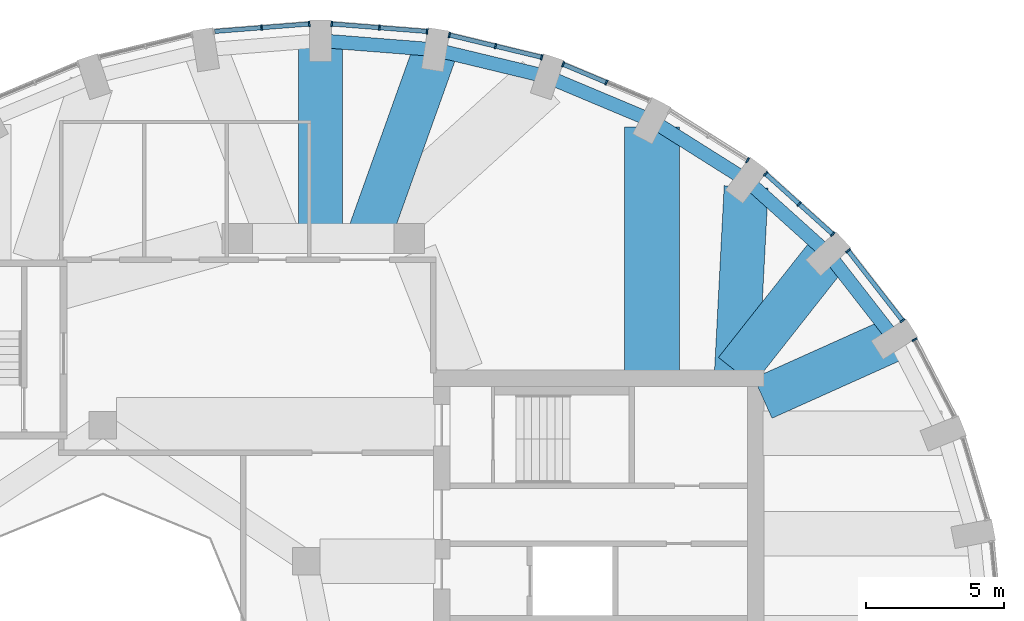
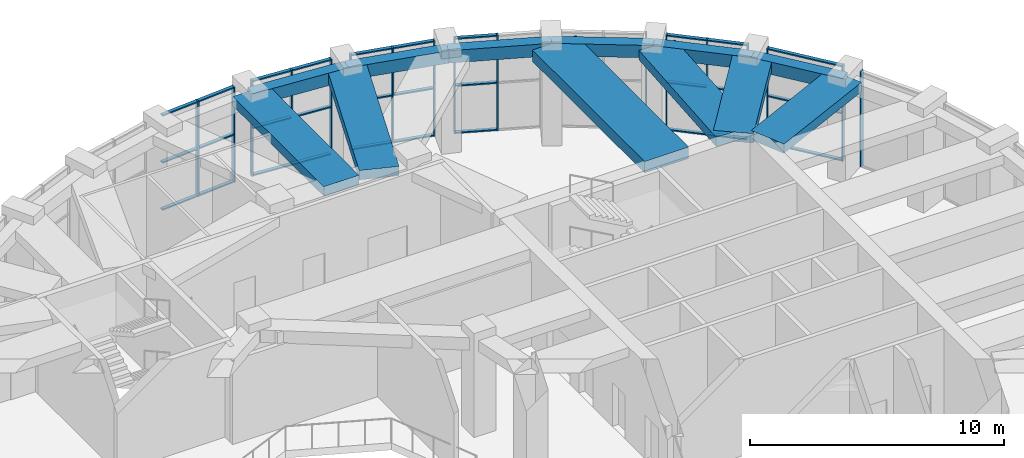
# One storey, part 8 of 16: 47 members, 12 beams, 8 elements without a shape of their own.
"""IFC4 building model written with IfcOpenShell, lengths in metres."""

from ifc_helpers import new_model, si_unit, direction, frame, origin, origin_2d, place, context, subcontext, project, spatial, rectangle, extrude, material, material_profile, profile_set, type_object, element, aggregate, save


model = new_model("IFC4")

# Units and contexts
model_context = context("Model", 3, precision=1e-05, world=origin(), true_north=direction((0.0, 1.0)))
body_context = subcontext(model_context, "Body", "Model", "MODEL_VIEW")
ifc_project = project(units=[si_unit("LENGTHUNIT", "METRE"), si_unit("AREAUNIT", "SQUARE_METRE"), si_unit("VOLUMEUNIT", "CUBIC_METRE"), si_unit("PLANEANGLEUNIT", "RADIAN"), si_unit("MASSUNIT", "GRAM", prefix="KILO")], contexts=[model_context])

# Site, building, storey
site_placement = place(None, origin())
site = spatial("IfcSite", under=ifc_project, at=site_placement, CompositionType="ELEMENT")
building_placement = place(site_placement, origin())
building = spatial("IfcBuilding", under=site, at=building_placement, Name="Taillehof Tower", CompositionType="ELEMENT")
storey_placement = place(building_placement, frame((0.0, 0.0, 264.199951171875)))
storey = spatial("IfcBuildingStorey", under=building, at=storey_placement, Name="L75", CompositionType="ELEMENT", Elevation=264.199951171875)

# Beams
ifc_material_1 = material(Name="Concrete C50/60", Category="concrete")
ifc_material_profile_1 = material_profile(ifc_material_1, rectangle(XDim=1.60009765625, YDim=0.449951171875, at=origin_2d()), Name="RC 1600x450")
ifc_profile_set_1 = profile_set([ifc_material_profile_1], Name="Concrete C50/60")
beam_type_1 = type_object("IfcBeamType", Name="Radial band beam C50/60 1600x450", PredefinedType="BEAM", material=ifc_profile_set_1)
beam_1_placement = place(storey_placement, frame((20.72802734375, 11.125, 4.364990234375), z_axis=(-0.912110813011, -0.409943733685, 0.0), x_axis=(0.409943733685, -0.912110813011, 0.0)))
element("IfcBeam", 1, at=beam_1_placement, inside=storey, type_object=beam_type_1, Name="Radial band beam RB04", PredefinedType="BEAM", context=body_context, shape_type="SweptSolid", body=[
    extrude(rectangle(XDim=1.60009765625, YDim=0.449951171875, at=origin_2d()), origin(), (0.0, 0.0, 1.0), 5.233642578125),
])
beam_2_placement = place(storey_placement, frame((18.323486328125, 14.21630859375, 4.364990234375), z_axis=(-0.619052480422, -0.785349620541, 0.0), x_axis=(0.785349620541, -0.619052480422, 0.0)))
element("IfcBeam", 2, at=beam_2_placement, inside=storey, type_object=beam_type_1, Name="Radial band beam RB05", PredefinedType="BEAM", context=body_context, shape_type="SweptSolid", body=[
    extrude(rectangle(XDim=1.60009765625, YDim=0.449951171875, at=origin_2d()), origin(), (0.0, 0.0, 1.0), 5.418701171875),
])
beam_3_placement = place(storey_placement, frame((15.3466796875, 16.645751953125, 4.364990234375), z_axis=(-0.052105887855, -0.998641565553, 0.0), x_axis=(0.998641565553, -0.052105887855, 0.0)))
element("IfcBeam", 3, at=beam_3_placement, inside=storey, type_object=beam_type_1, Name="Radial band beam RB06", PredefinedType="BEAM", context=body_context, shape_type="SweptSolid", body=[
    extrude(rectangle(XDim=1.60009765625, YDim=0.449951171875, at=origin_2d()), origin(), (0.0, 0.0, 1.0), 6.704833984375),
])
beam_4_placement = place(storey_placement, frame((4.076171875, 21.62109375, 4.364990234375), z_axis=(-0.33687426523, -0.941549642571, 0.0), x_axis=(0.941549642571, -0.33687426523, 0.0)))
element("IfcBeam", 4, at=beam_4_placement, inside=storey, type_object=beam_type_1, Name="Radial band beam RB09", PredefinedType="BEAM", context=body_context, shape_type="SweptSolid", body=[
    extrude(rectangle(XDim=1.60009765625, YDim=0.449951171875, at=origin_2d()), origin(), (0.0, 0.0, 1.0), 7.27392578125),
])
beam_5_placement = place(storey_placement, frame((-0.10009765625, 21.949951171875, 4.364990234375), z_axis=(0.0, -1.0, 0.0), x_axis=(1.0, 0.0, 0.0)))
element("IfcBeam", 5, at=beam_5_placement, inside=storey, type_object=beam_type_1, Name="Radial band beam RB10", PredefinedType="BEAM", context=body_context, shape_type="SweptSolid", body=[
    extrude(rectangle(XDim=1.60009765625, YDim=0.449951171875, at=origin_2d()), origin(), (0.0, 0.0, 1.0), 7.177734375),
])
ifc_material_2 = material(Name="Concrete C50/60", Category="concrete")
ifc_material_profile_2 = material_profile(ifc_material_2, rectangle(XDim=2.0, YDim=0.550048828125, at=origin_2d()), Name="RC 2000x550")
ifc_profile_set_2 = profile_set([ifc_material_profile_2], Name="Concrete C50/60")
beam_type_2 = type_object("IfcBeamType", Name="Radial band beam C50/60 2000x550", PredefinedType="BEAM", material=ifc_profile_set_2)
beam_6_placement = place(storey_placement, frame((11.925048828125, 18.8115234375, 4.31494140625), z_axis=(0.0, -1.0, 0.0), x_axis=(1.0, 0.0, 0.0)))
element("IfcBeam", 6, at=beam_6_placement, inside=storey, type_object=beam_type_2, Name="Radial band beam RB07", PredefinedType="BEAM", context=body_context, shape_type="SweptSolid", body=[
    extrude(rectangle(XDim=2.0, YDim=0.550048828125, at=origin_2d()), origin(), (0.0, 0.0, 1.0), 8.861572265625),
])

# Curtain wall, member
ifc_material_3 = material(Name="Aluminium curtain wall with Clear laminated safety glass", Category="aluminium")
curtain_wall_type = type_object("IfcCurtainWallType", Name="Sky restaurant curtain wall", PredefinedType="USERDEFINED", material=ifc_material_3)
curtain_wall_1_placement = place(storey_placement, origin())
curtain_wall_1 = element("IfcCurtainWall", 7, at=curtain_wall_1_placement, inside=storey, type_object=curtain_wall_type, Name="Sky restaurant L75 bay 3", ObjectType="WINDOW WALL", PredefinedType="USERDEFINED")
ifc_material_4 = material(Name="Aluminium mullion", Category="aluminium")
ifc_material_profile_3 = material_profile(ifc_material_4, rectangle(XDim=0.199951171875, YDim=0.06005859375, at=origin_2d()), Name="AL 60x200")
ifc_profile_set_3 = profile_set([ifc_material_profile_3], Name="Aluminium mullion")
member_type_1 = type_object("IfcMemberType", Name="Sky restaurant mullion 60x200", PredefinedType="MULLION", material=ifc_profile_set_3)
member_1_placement = place(storey_placement, frame((21.4560546875, 11.10400390625, 0.0), z_axis=(0.0, 0.0, 1.0), x_axis=(-0.887975262702, -0.459891218474, 0.0)))
member_1 = element("IfcMember", 8, at=member_1_placement, type_object=member_type_1, Name="CT5E03 mullion 2", PredefinedType="MULLION", context=body_context, shape_type="SweptSolid", body=[
    extrude(rectangle(XDim=0.199951171875, YDim=0.06005859375, at=origin_2d()), origin(), (0.0, 0.0, 1.0), 4.590087890625),
])
aggregate(curtain_wall_1, [member_1])

# Curtain wall, members
curtain_wall_2_placement = place(storey_placement, origin())
curtain_wall_2 = element("IfcCurtainWall", 9, at=curtain_wall_2_placement, inside=storey, type_object=curtain_wall_type, Name="Sky restaurant L75 bay 4", ObjectType="WINDOW WALL", PredefinedType="USERDEFINED")
member_2_placement = place(storey_placement, frame((21.013916015625, 11.79443359375, 0.0), z_axis=(0.0, 0.0, 1.0), x_axis=(-0.789381612432, -0.613902818005, 0.0)))
member_2 = element("IfcMember", 10, at=member_2_placement, type_object=member_type_1, Name="CT5E04 mullion 1", PredefinedType="MULLION", context=body_context, shape_type="SweptSolid", body=[
    extrude(rectangle(XDim=0.199951171875, YDim=0.06005859375, at=origin_2d()), origin(), (0.0, 0.0, 1.0), 4.590087890625),
])
member_3_placement = place(storey_placement, frame((19.044677734375, 14.326904296875, 0.0), z_axis=(0.0, 0.0, 1.0), x_axis=(-0.789381612432, -0.613902818005, 0.0)))
member_3 = element("IfcMember", 11, at=member_3_placement, type_object=member_type_1, Name="CT5E04 mullion 2", PredefinedType="MULLION", context=body_context, shape_type="SweptSolid", body=[
    extrude(rectangle(XDim=0.199951171875, YDim=0.06005859375, at=origin_2d()), origin(), (0.0, 0.0, 1.0), 4.590087890625),
])

curtain_wall_3_placement = place(storey_placement, origin())
curtain_wall_3 = element("IfcCurtainWall", 12, at=curtain_wall_3_placement, inside=storey, type_object=curtain_wall_type, Name="Sky restaurant L75 bay 5", ObjectType="WINDOW WALL", PredefinedType="USERDEFINED")
member_4_placement = place(storey_placement, frame((18.486083984375, 14.927001953125, 0.0), z_axis=(0.0, 0.0, 1.0), x_axis=(-0.669107157872, -0.74316593792, 0.0)))
member_4 = element("IfcMember", 13, at=member_4_placement, type_object=member_type_1, Name="CT5E05 mullion 1", PredefinedType="MULLION", context=body_context, shape_type="SweptSolid", body=[
    extrude(rectangle(XDim=0.199951171875, YDim=0.06005859375, at=origin_2d()), origin(), (0.0, 0.0, 1.0), 4.590087890625),
])
member_5_placement = place(storey_placement, frame((17.2685546875, 16.023193359375, 0.0), z_axis=(0.0, 0.0, 1.0), x_axis=(-0.669107157872, -0.74316593792, 0.0)))
member_5 = element("IfcMember", 14, at=member_5_placement, type_object=member_type_1, Name="CT5E05 mullion 2", PredefinedType="MULLION", context=body_context, shape_type="SweptSolid", body=[
    extrude(rectangle(XDim=0.199951171875, YDim=0.06005859375, at=origin_2d()), origin(), (0.0, 0.0, 1.0), 4.590087890625),
])
member_6_placement = place(storey_placement, frame((16.051025390625, 17.119384765625, 0.0), z_axis=(0.0, 0.0, 1.0), x_axis=(-0.669107157872, -0.74316593792, 0.0)))
member_6 = element("IfcMember", 15, at=member_6_placement, type_object=member_type_1, Name="CT5E05 mullion 3", PredefinedType="MULLION", context=body_context, shape_type="SweptSolid", body=[
    extrude(rectangle(XDim=0.199951171875, YDim=0.06005859375, at=origin_2d()), origin(), (0.0, 0.0, 1.0), 4.590087890625),
])

# Curtain wall, member
curtain_wall_4_placement = place(storey_placement, origin())
curtain_wall_4 = element("IfcCurtainWall", 16, at=curtain_wall_4_placement, inside=storey, type_object=curtain_wall_type, Name="Sky restaurant L75 bay 6", ObjectType="WINDOW WALL", PredefinedType="USERDEFINED")
member_7_placement = place(storey_placement, frame((15.397216796875, 17.614013671875, 0.0), z_axis=(0.0, 0.0, 1.0), x_axis=(-0.533294430468, -0.845929695916, 0.0)))
member_7 = element("IfcMember", 17, at=member_7_placement, type_object=member_type_1, Name="CT5E06 mullion 1", PredefinedType="MULLION", context=body_context, shape_type="SweptSolid", body=[
    extrude(rectangle(XDim=0.199951171875, YDim=0.06005859375, at=origin_2d()), origin(), (0.0, 0.0, 1.0), 4.590087890625),
])
aggregate(curtain_wall_4, [member_7])

# Curtain wall, members
curtain_wall_5_placement = place(storey_placement, origin())
curtain_wall_5 = element("IfcCurtainWall", 18, at=curtain_wall_5_placement, inside=storey, type_object=curtain_wall_type, Name="Sky restaurant L75 bay 7", ObjectType="WINDOW WALL", PredefinedType="USERDEFINED")
member_8_placement = place(storey_placement, frame((10.27294921875, 20.434326171875, 0.0), z_axis=(0.0, 0.0, 1.0), x_axis=(-0.387100713636, -0.922037438233, 0.0)))
member_8 = element("IfcMember", 19, at=member_8_placement, type_object=member_type_1, Name="CT5E07 mullion 2", PredefinedType="MULLION", context=body_context, shape_type="SweptSolid", body=[
    extrude(rectangle(XDim=0.199951171875, YDim=0.06005859375, at=origin_2d()), origin(), (0.0, 0.0, 1.0), 4.590087890625),
])
member_9_placement = place(storey_placement, frame((8.70458984375, 21.0927734375, 0.0), z_axis=(0.0, 0.0, 1.0), x_axis=(-0.387100713636, -0.922037438233, 0.0)))
member_9 = element("IfcMember", 20, at=member_9_placement, type_object=member_type_1, Name="CT5E07 mullion 3", PredefinedType="MULLION", context=body_context, shape_type="SweptSolid", body=[
    extrude(rectangle(XDim=0.199951171875, YDim=0.06005859375, at=origin_2d()), origin(), (0.0, 0.0, 1.0), 4.590087890625),
])

curtain_wall_6_placement = place(storey_placement, origin())
curtain_wall_6 = element("IfcCurtainWall", 21, at=curtain_wall_6_placement, inside=storey, type_object=curtain_wall_type, Name="Sky restaurant L75 bay 8", ObjectType="WINDOW WALL", PredefinedType="USERDEFINED")
member_10_placement = place(storey_placement, frame((7.925537109375, 21.348388671875, 0.0), z_axis=(0.0, 0.0, 1.0), x_axis=(-0.234514520129, -0.972112616855, 0.0)))
member_10 = element("IfcMember", 22, at=member_10_placement, type_object=member_type_1, Name="CT5E08 mullion 1", PredefinedType="MULLION", context=body_context, shape_type="SweptSolid", body=[
    extrude(rectangle(XDim=0.199951171875, YDim=0.06005859375, at=origin_2d()), origin(), (0.0, 0.0, 1.0), 4.590087890625),
])
member_11_placement = place(storey_placement, frame((6.2509765625, 21.75244140625, 0.0), z_axis=(0.0, 0.0, 1.0), x_axis=(-0.234514520129, -0.972112616855, 0.0)))
member_11 = element("IfcMember", 23, at=member_11_placement, type_object=member_type_1, Name="CT5E08 mullion 2", PredefinedType="MULLION", context=body_context, shape_type="SweptSolid", body=[
    extrude(rectangle(XDim=0.199951171875, YDim=0.06005859375, at=origin_2d()), origin(), (0.0, 0.0, 1.0), 4.590087890625),
])
member_12_placement = place(storey_placement, frame((4.57666015625, 22.15625, 0.0), z_axis=(0.0, 0.0, 1.0), x_axis=(-0.234514520129, -0.972112616855, 0.0)))
member_12 = element("IfcMember", 24, at=member_12_placement, type_object=member_type_1, Name="CT5E08 mullion 3", PredefinedType="MULLION", context=body_context, shape_type="SweptSolid", body=[
    extrude(rectangle(XDim=0.199951171875, YDim=0.06005859375, at=origin_2d()), origin(), (0.0, 0.0, 1.0), 4.590087890625),
])

curtain_wall_7_placement = place(storey_placement, origin())
curtain_wall_7 = element("IfcCurtainWall", 25, at=curtain_wall_7_placement, inside=storey, type_object=curtain_wall_type, Name="Sky restaurant L75 bay 9", ObjectType="WINDOW WALL", PredefinedType="USERDEFINED")
member_13_placement = place(storey_placement, frame((3.766845703125, 22.28515625, 0.0), z_axis=(0.0, 0.0, 1.0), x_axis=(-0.078525059075, -0.996912140109, 0.0)))
member_13 = element("IfcMember", 26, at=member_13_placement, type_object=member_type_1, Name="CT5E09 mullion 1", PredefinedType="MULLION", context=body_context, shape_type="SweptSolid", body=[
    extrude(rectangle(XDim=0.199951171875, YDim=0.06005859375, at=origin_2d()), origin(), (0.0, 0.0, 1.0), 4.590087890625),
])
member_14_placement = place(storey_placement, frame((2.038330078125, 22.421142578125, 0.0), z_axis=(0.0, 0.0, 1.0), x_axis=(-0.078525059075, -0.996912140109, 0.0)))
member_14 = element("IfcMember", 27, at=member_14_placement, type_object=member_type_1, Name="CT5E09 mullion 2", PredefinedType="MULLION", context=body_context, shape_type="SweptSolid", body=[
    extrude(rectangle(XDim=0.199951171875, YDim=0.06005859375, at=origin_2d()), origin(), (0.0, 0.0, 1.0), 4.590087890625),
])
member_15_placement = place(storey_placement, frame((0.31005859375, 22.557373046875, 0.0), z_axis=(0.0, 0.0, 1.0), x_axis=(-0.078525059075, -0.996912140109, 0.0)))
member_15 = element("IfcMember", 28, at=member_15_placement, type_object=member_type_1, Name="CT5E09 mullion 3", PredefinedType="MULLION", context=body_context, shape_type="SweptSolid", body=[
    extrude(rectangle(XDim=0.199951171875, YDim=0.06005859375, at=origin_2d()), origin(), (0.0, 0.0, 1.0), 4.590087890625),
])

curtain_wall_8_placement = place(storey_placement, origin())
curtain_wall_8 = element("IfcCurtainWall", 29, at=curtain_wall_8_placement, inside=storey, type_object=curtain_wall_type, Name="Sky restaurant L75 bay 10", ObjectType="WINDOW WALL", PredefinedType="USERDEFINED")
member_16_placement = place(storey_placement, frame((-0.510009765625, 22.557373046875, 0.0), z_axis=(0.0, 0.0, 1.0), x_axis=(0.078525059075, -0.996912140109, 0.0)))
member_16 = element("IfcMember", 30, at=member_16_placement, type_object=member_type_1, Name="CT5E10 mullion 1", PredefinedType="MULLION", context=body_context, shape_type="SweptSolid", body=[
    extrude(rectangle(XDim=0.199951171875, YDim=0.06005859375, at=origin_2d()), origin(), (0.0, 0.0, 1.0), 4.590087890625),
])
member_17_placement = place(storey_placement, frame((-2.238525390625, 22.421142578125, 0.0), z_axis=(0.0, 0.0, 1.0), x_axis=(0.078525059075, -0.996912140109, 0.0)))
member_17 = element("IfcMember", 31, at=member_17_placement, type_object=member_type_1, Name="CT5E10 mullion 2", PredefinedType="MULLION", context=body_context, shape_type="SweptSolid", body=[
    extrude(rectangle(XDim=0.199951171875, YDim=0.06005859375, at=origin_2d()), origin(), (0.0, 0.0, 1.0), 4.590087890625),
])

# Member
ifc_material_5 = material(Name="Aluminium transom", Category="aluminium")
ifc_material_profile_4 = material_profile(ifc_material_5, rectangle(XDim=0.159912109375, YDim=0.06005859375, at=origin_2d()), Name="AL 160x60")
ifc_profile_set_4 = profile_set([ifc_material_profile_4], Name="Aluminium transom")
member_type_2 = type_object("IfcMemberType", Name="Sky restaurant transom 160x60", PredefinedType="USERDEFINED", material=ifc_profile_set_4)
member_18_placement = place(storey_placement, frame((20.99560546875, 11.818115234375, 0.030029296875), z_axis=(-0.613892292238, 0.789389798218, 0.0), x_axis=(-0.789389798218, -0.613892292238, 0.0)))
member_18 = element("IfcMember", 32, at=member_18_placement, type_object=member_type_2, Name="CT5E04 transom 1.1", ObjectType="TRANSOM", PredefinedType="USERDEFINED", context=body_context, shape_type="SweptSolid", body=[
    extrude(rectangle(XDim=0.159912109375, YDim=0.06005859375, at=origin_2d()), origin(), (0.0, 0.0, 1.0), 3.148193359375),
])

member_19_placement = place(storey_placement, frame((20.99560546875, 11.818115234375, 2.295166015625), z_axis=(-0.613892292238, 0.789389798218, 0.0), x_axis=(-0.789389798218, -0.613892292238, 0.0)))
member_19 = element("IfcMember", 33, at=member_19_placement, type_object=member_type_2, Name="CT5E04 transom 1.2", ObjectType="TRANSOM", PredefinedType="USERDEFINED", context=body_context, shape_type="SweptSolid", body=[
    extrude(rectangle(XDim=0.159912109375, YDim=0.06005859375, at=origin_2d()), origin(), (0.0, 0.0, 1.0), 3.148193359375),
])

member_20_placement = place(storey_placement, frame((20.99560546875, 11.818115234375, 4.56005859375), z_axis=(-0.613892292238, 0.789389798218, 0.0), x_axis=(-0.789389798218, -0.613892292238, 0.0)))
member_20 = element("IfcMember", 34, at=member_20_placement, type_object=member_type_2, Name="CT5E04 transom 1.3", ObjectType="TRANSOM", PredefinedType="USERDEFINED", context=body_context, shape_type="SweptSolid", body=[
    extrude(rectangle(XDim=0.159912109375, YDim=0.06005859375, at=origin_2d()), origin(), (0.0, 0.0, 1.0), 3.148193359375),
])

aggregate(curtain_wall_2, [member_2, member_3, member_18, member_19, member_20])

member_21_placement = place(storey_placement, frame((18.4638671875, 14.947021484375, 0.030029296875), z_axis=(-0.743178775235, 0.66909289941, 0.0), x_axis=(-0.66909289941, -0.743178775235, 0.0)))
member_21 = element("IfcMember", 35, at=member_21_placement, type_object=member_type_2, Name="CT5E05 transom 1.1", ObjectType="TRANSOM", PredefinedType="USERDEFINED", context=body_context, shape_type="SweptSolid", body=[
    extrude(rectangle(XDim=0.159912109375, YDim=0.06005859375, at=origin_2d()), origin(), (0.0, 0.0, 1.0), 1.578369140625),
])

member_22_placement = place(storey_placement, frame((18.4638671875, 14.947021484375, 2.295166015625), z_axis=(-0.743178775235, 0.66909289941, 0.0), x_axis=(-0.66909289941, -0.743178775235, 0.0)))
member_22 = element("IfcMember", 36, at=member_22_placement, type_object=member_type_2, Name="CT5E05 transom 1.2", ObjectType="TRANSOM", PredefinedType="USERDEFINED", context=body_context, shape_type="SweptSolid", body=[
    extrude(rectangle(XDim=0.159912109375, YDim=0.06005859375, at=origin_2d()), origin(), (0.0, 0.0, 1.0), 1.578369140625),
])

member_23_placement = place(storey_placement, frame((18.4638671875, 14.947021484375, 4.56005859375), z_axis=(-0.743178775235, 0.66909289941, 0.0), x_axis=(-0.66909289941, -0.743178775235, 0.0)))
member_23 = element("IfcMember", 37, at=member_23_placement, type_object=member_type_2, Name="CT5E05 transom 1.3", ObjectType="TRANSOM", PredefinedType="USERDEFINED", context=body_context, shape_type="SweptSolid", body=[
    extrude(rectangle(XDim=0.159912109375, YDim=0.06005859375, at=origin_2d()), origin(), (0.0, 0.0, 1.0), 1.578369140625),
])

member_24_placement = place(storey_placement, frame((17.246337890625, 16.043212890625, 0.030029296875), z_axis=(-0.743109520793, 0.669169814103, 0.0), x_axis=(-0.669169814103, -0.743109520793, 0.0)))
member_24 = element("IfcMember", 38, at=member_24_placement, type_object=member_type_2, Name="CT5E05 transom 2.1", ObjectType="TRANSOM", PredefinedType="USERDEFINED", context=body_context, shape_type="SweptSolid", body=[
    extrude(rectangle(XDim=0.159912109375, YDim=0.06005859375, at=origin_2d()), origin(), (0.0, 0.0, 1.0), 1.578369140625),
])

member_25_placement = place(storey_placement, frame((17.246337890625, 16.043212890625, 2.295166015625), z_axis=(-0.743109520793, 0.669169814103, 0.0), x_axis=(-0.669169814103, -0.743109520793, 0.0)))
member_25 = element("IfcMember", 39, at=member_25_placement, type_object=member_type_2, Name="CT5E05 transom 2.2", ObjectType="TRANSOM", PredefinedType="USERDEFINED", context=body_context, shape_type="SweptSolid", body=[
    extrude(rectangle(XDim=0.159912109375, YDim=0.06005859375, at=origin_2d()), origin(), (0.0, 0.0, 1.0), 1.578369140625),
])

member_26_placement = place(storey_placement, frame((17.246337890625, 16.043212890625, 4.56005859375), z_axis=(-0.743109520793, 0.669169814103, 0.0), x_axis=(-0.669169814103, -0.743109520793, 0.0)))
member_26 = element("IfcMember", 40, at=member_26_placement, type_object=member_type_2, Name="CT5E05 transom 2.3", ObjectType="TRANSOM", PredefinedType="USERDEFINED", context=body_context, shape_type="SweptSolid", body=[
    extrude(rectangle(XDim=0.159912109375, YDim=0.06005859375, at=origin_2d()), origin(), (0.0, 0.0, 1.0), 1.578369140625),
])

aggregate(curtain_wall_3, [member_4, member_5, member_6, member_21, member_22, member_23, member_24, member_25, member_26])

member_27_placement = place(storey_placement, frame((10.245361328125, 20.446044921875, 0.030029296875), z_axis=(-0.922043704078, 0.387085788643, 0.0), x_axis=(-0.387085788643, -0.922043704078, 0.0)))
member_27 = element("IfcMember", 41, at=member_27_placement, type_object=member_type_2, Name="CT5E07 transom 2.1", ObjectType="TRANSOM", PredefinedType="USERDEFINED", context=body_context, shape_type="SweptSolid", body=[
    extrude(rectangle(XDim=0.159912109375, YDim=0.06005859375, at=origin_2d()), origin(), (0.0, 0.0, 1.0), 1.64111328125),
])

member_28_placement = place(storey_placement, frame((10.245361328125, 20.446044921875, 2.295166015625), z_axis=(-0.922043704078, 0.387085788643, 0.0), x_axis=(-0.387085788643, -0.922043704078, 0.0)))
member_28 = element("IfcMember", 42, at=member_28_placement, type_object=member_type_2, Name="CT5E07 transom 2.2", ObjectType="TRANSOM", PredefinedType="USERDEFINED", context=body_context, shape_type="SweptSolid", body=[
    extrude(rectangle(XDim=0.159912109375, YDim=0.06005859375, at=origin_2d()), origin(), (0.0, 0.0, 1.0), 1.64111328125),
])

member_29_placement = place(storey_placement, frame((10.245361328125, 20.446044921875, 4.56005859375), z_axis=(-0.922043704078, 0.387085788643, 0.0), x_axis=(-0.387085788643, -0.922043704078, 0.0)))
member_29 = element("IfcMember", 43, at=member_29_placement, type_object=member_type_2, Name="CT5E07 transom 2.3", ObjectType="TRANSOM", PredefinedType="USERDEFINED", context=body_context, shape_type="SweptSolid", body=[
    extrude(rectangle(XDim=0.159912109375, YDim=0.06005859375, at=origin_2d()), origin(), (0.0, 0.0, 1.0), 1.64111328125),
])

aggregate(curtain_wall_5, [member_8, member_9, member_27, member_28, member_29])

member_30_placement = place(storey_placement, frame((7.896240234375, 21.35546875, 0.030029296875), z_axis=(-0.972105306361, 0.234544821613, 0.0), x_axis=(-0.234544821613, -0.972105306361, 0.0)))
member_30 = element("IfcMember", 44, at=member_30_placement, type_object=member_type_2, Name="CT5E08 transom 1.1", ObjectType="TRANSOM", PredefinedType="USERDEFINED", context=body_context, shape_type="SweptSolid", body=[
    extrude(rectangle(XDim=0.159912109375, YDim=0.06005859375, at=origin_2d()), origin(), (0.0, 0.0, 1.0), 1.662353515625),
])

member_31_placement = place(storey_placement, frame((7.896240234375, 21.35546875, 2.295166015625), z_axis=(-0.972105306361, 0.234544821613, 0.0), x_axis=(-0.234544821613, -0.972105306361, 0.0)))
member_31 = element("IfcMember", 45, at=member_31_placement, type_object=member_type_2, Name="CT5E08 transom 1.2", ObjectType="TRANSOM", PredefinedType="USERDEFINED", context=body_context, shape_type="SweptSolid", body=[
    extrude(rectangle(XDim=0.159912109375, YDim=0.06005859375, at=origin_2d()), origin(), (0.0, 0.0, 1.0), 1.662353515625),
])

member_32_placement = place(storey_placement, frame((7.896240234375, 21.35546875, 4.56005859375), z_axis=(-0.972105306361, 0.234544821613, 0.0), x_axis=(-0.234544821613, -0.972105306361, 0.0)))
member_32 = element("IfcMember", 46, at=member_32_placement, type_object=member_type_2, Name="CT5E08 transom 1.3", ObjectType="TRANSOM", PredefinedType="USERDEFINED", context=body_context, shape_type="SweptSolid", body=[
    extrude(rectangle(XDim=0.159912109375, YDim=0.06005859375, at=origin_2d()), origin(), (0.0, 0.0, 1.0), 1.662353515625),
])

member_33_placement = place(storey_placement, frame((6.221923828125, 21.759521484375, 0.030029296875), z_axis=(-0.97211338391, 0.234511340499, 0.0), x_axis=(-0.234511340499, -0.97211338391, 0.0)))
member_33 = element("IfcMember", 47, at=member_33_placement, type_object=member_type_2, Name="CT5E08 transom 2.1", ObjectType="TRANSOM", PredefinedType="USERDEFINED", context=body_context, shape_type="SweptSolid", body=[
    extrude(rectangle(XDim=0.159912109375, YDim=0.06005859375, at=origin_2d()), origin(), (0.0, 0.0, 1.0), 1.66259765625),
])

member_34_placement = place(storey_placement, frame((6.221923828125, 21.759521484375, 2.295166015625), z_axis=(-0.97211338391, 0.234511340499, 0.0), x_axis=(-0.234511340499, -0.97211338391, 0.0)))
member_34 = element("IfcMember", 48, at=member_34_placement, type_object=member_type_2, Name="CT5E08 transom 2.2", ObjectType="TRANSOM", PredefinedType="USERDEFINED", context=body_context, shape_type="SweptSolid", body=[
    extrude(rectangle(XDim=0.159912109375, YDim=0.06005859375, at=origin_2d()), origin(), (0.0, 0.0, 1.0), 1.66259765625),
])

member_35_placement = place(storey_placement, frame((6.221923828125, 21.759521484375, 4.56005859375), z_axis=(-0.97211338391, 0.234511340499, 0.0), x_axis=(-0.234511340499, -0.97211338391, 0.0)))
member_35 = element("IfcMember", 49, at=member_35_placement, type_object=member_type_2, Name="CT5E08 transom 2.3", ObjectType="TRANSOM", PredefinedType="USERDEFINED", context=body_context, shape_type="SweptSolid", body=[
    extrude(rectangle(XDim=0.159912109375, YDim=0.06005859375, at=origin_2d()), origin(), (0.0, 0.0, 1.0), 1.66259765625),
])

aggregate(curtain_wall_6, [member_10, member_11, member_12, member_30, member_31, member_32, member_33, member_34, member_35])

member_36_placement = place(storey_placement, frame((3.737060546875, 22.287353515625, 0.030029296875), z_axis=(-0.996905071053, 0.078614752494, 0.0), x_axis=(-0.078614752494, -0.996905071053, 0.0)))
member_36 = element("IfcMember", 50, at=member_36_placement, type_object=member_type_2, Name="CT5E09 transom 1.1", ObjectType="TRANSOM", PredefinedType="USERDEFINED", context=body_context, shape_type="SweptSolid", body=[
    extrude(rectangle(XDim=0.159912109375, YDim=0.06005859375, at=origin_2d()), origin(), (0.0, 0.0, 1.0), 1.673828125),
])

member_37_placement = place(storey_placement, frame((3.737060546875, 22.287353515625, 2.295166015625), z_axis=(-0.996905071053, 0.078614752494, 0.0), x_axis=(-0.078614752494, -0.996905071053, 0.0)))
member_37 = element("IfcMember", 51, at=member_37_placement, type_object=member_type_2, Name="CT5E09 transom 1.2", ObjectType="TRANSOM", PredefinedType="USERDEFINED", context=body_context, shape_type="SweptSolid", body=[
    extrude(rectangle(XDim=0.159912109375, YDim=0.06005859375, at=origin_2d()), origin(), (0.0, 0.0, 1.0), 1.673828125),
])

member_38_placement = place(storey_placement, frame((3.737060546875, 22.287353515625, 4.56005859375), z_axis=(-0.996905071053, 0.078614752494, 0.0), x_axis=(-0.078614752494, -0.996905071053, 0.0)))
member_38 = element("IfcMember", 52, at=member_38_placement, type_object=member_type_2, Name="CT5E09 transom 1.3", ObjectType="TRANSOM", PredefinedType="USERDEFINED", context=body_context, shape_type="SweptSolid", body=[
    extrude(rectangle(XDim=0.159912109375, YDim=0.06005859375, at=origin_2d()), origin(), (0.0, 0.0, 1.0), 1.673828125),
])

member_39_placement = place(storey_placement, frame((2.008544921875, 22.423583984375, 0.030029296875), z_axis=(-0.996916491353, 0.078469798442, 0.0), x_axis=(-0.078469798442, -0.996916491353, 0.0)))
member_39 = element("IfcMember", 53, at=member_39_placement, type_object=member_type_2, Name="CT5E09 transom 2.1", ObjectType="TRANSOM", PredefinedType="USERDEFINED", context=body_context, shape_type="SweptSolid", body=[
    extrude(rectangle(XDim=0.159912109375, YDim=0.06005859375, at=origin_2d()), origin(), (0.0, 0.0, 1.0), 1.673828125),
])

member_40_placement = place(storey_placement, frame((2.008544921875, 22.423583984375, 2.295166015625), z_axis=(-0.996916491353, 0.078469798442, 0.0), x_axis=(-0.078469798442, -0.996916491353, 0.0)))
member_40 = element("IfcMember", 54, at=member_40_placement, type_object=member_type_2, Name="CT5E09 transom 2.2", ObjectType="TRANSOM", PredefinedType="USERDEFINED", context=body_context, shape_type="SweptSolid", body=[
    extrude(rectangle(XDim=0.159912109375, YDim=0.06005859375, at=origin_2d()), origin(), (0.0, 0.0, 1.0), 1.673828125),
])

member_41_placement = place(storey_placement, frame((2.008544921875, 22.423583984375, 4.56005859375), z_axis=(-0.996916491353, 0.078469798442, 0.0), x_axis=(-0.078469798442, -0.996916491353, 0.0)))
member_41 = element("IfcMember", 55, at=member_41_placement, type_object=member_type_2, Name="CT5E09 transom 2.3", ObjectType="TRANSOM", PredefinedType="USERDEFINED", context=body_context, shape_type="SweptSolid", body=[
    extrude(rectangle(XDim=0.159912109375, YDim=0.06005859375, at=origin_2d()), origin(), (0.0, 0.0, 1.0), 1.673828125),
])

aggregate(curtain_wall_7, [member_13, member_14, member_15, member_36, member_37, member_38, member_39, member_40, member_41])

member_42_placement = place(storey_placement, frame((-0.539794921875, 22.554931640625, 0.030029296875), z_axis=(-0.996916491353, -0.078469798442, 0.0), x_axis=(0.078469798442, -0.996916491353, 0.0)))
member_42 = element("IfcMember", 56, at=member_42_placement, type_object=member_type_2, Name="CT5E10 transom 1.1", ObjectType="TRANSOM", PredefinedType="USERDEFINED", context=body_context, shape_type="SweptSolid", body=[
    extrude(rectangle(XDim=0.159912109375, YDim=0.06005859375, at=origin_2d()), origin(), (0.0, 0.0, 1.0), 1.673828125),
])

member_43_placement = place(storey_placement, frame((-0.539794921875, 22.554931640625, 2.295166015625), z_axis=(-0.996916491353, -0.078469798442, 0.0), x_axis=(0.078469798442, -0.996916491353, 0.0)))
member_43 = element("IfcMember", 57, at=member_43_placement, type_object=member_type_2, Name="CT5E10 transom 1.2", ObjectType="TRANSOM", PredefinedType="USERDEFINED", context=body_context, shape_type="SweptSolid", body=[
    extrude(rectangle(XDim=0.159912109375, YDim=0.06005859375, at=origin_2d()), origin(), (0.0, 0.0, 1.0), 1.673828125),
])

member_44_placement = place(storey_placement, frame((-0.539794921875, 22.554931640625, 4.56005859375), z_axis=(-0.996916491353, -0.078469798442, 0.0), x_axis=(0.078469798442, -0.996916491353, 0.0)))
member_44 = element("IfcMember", 58, at=member_44_placement, type_object=member_type_2, Name="CT5E10 transom 1.3", ObjectType="TRANSOM", PredefinedType="USERDEFINED", context=body_context, shape_type="SweptSolid", body=[
    extrude(rectangle(XDim=0.159912109375, YDim=0.06005859375, at=origin_2d()), origin(), (0.0, 0.0, 1.0), 1.673828125),
])

member_45_placement = place(storey_placement, frame((-2.268310546875, 22.4189453125, 0.030029296875), z_axis=(-0.996905071053, -0.078614752494, 0.0), x_axis=(0.078614752494, -0.996905071053, 0.0)))
member_45 = element("IfcMember", 59, at=member_45_placement, type_object=member_type_2, Name="CT5E10 transom 2.1", ObjectType="TRANSOM", PredefinedType="USERDEFINED", context=body_context, shape_type="SweptSolid", body=[
    extrude(rectangle(XDim=0.159912109375, YDim=0.06005859375, at=origin_2d()), origin(), (0.0, 0.0, 1.0), 1.673828125),
])

member_46_placement = place(storey_placement, frame((-2.268310546875, 22.4189453125, 2.295166015625), z_axis=(-0.996905071053, -0.078614752494, 0.0), x_axis=(0.078614752494, -0.996905071053, 0.0)))
member_46 = element("IfcMember", 60, at=member_46_placement, type_object=member_type_2, Name="CT5E10 transom 2.2", ObjectType="TRANSOM", PredefinedType="USERDEFINED", context=body_context, shape_type="SweptSolid", body=[
    extrude(rectangle(XDim=0.159912109375, YDim=0.06005859375, at=origin_2d()), origin(), (0.0, 0.0, 1.0), 1.673828125),
])

member_47_placement = place(storey_placement, frame((-2.268310546875, 22.4189453125, 4.56005859375), z_axis=(-0.996905071053, -0.078614752494, 0.0), x_axis=(0.078614752494, -0.996905071053, 0.0)))
member_47 = element("IfcMember", 61, at=member_47_placement, type_object=member_type_2, Name="CT5E10 transom 2.3", ObjectType="TRANSOM", PredefinedType="USERDEFINED", context=body_context, shape_type="SweptSolid", body=[
    extrude(rectangle(XDim=0.159912109375, YDim=0.06005859375, at=origin_2d()), origin(), (0.0, 0.0, 1.0), 1.673828125),
])

aggregate(curtain_wall_8, [member_16, member_17, member_42, member_43, member_44, member_45, member_46, member_47])

# Beams
ifc_material_6 = material(Name="Concrete C50/60", Category="concrete")
ifc_material_profile_5 = material_profile(ifc_material_6, rectangle(XDim=0.5, YDim=0.60009765625, at=origin_2d()), Name="RC 500x600")
ifc_profile_set_5 = profile_set([ifc_material_profile_5], Name="Concrete C50/60")
beam_type_3 = type_object("IfcBeamType", Name="Spandrel beam C50/60 500x600", PredefinedType="SPANDREL", material=ifc_profile_set_5)
beam_7_placement = place(storey_placement, frame((20.72802734375, 11.125, 4.2900390625), z_axis=(-0.613970823209, 0.78932872002, 0.0), x_axis=(-0.78932872002, -0.613970823209, 0.0)))
element("IfcBeam", 62, at=beam_7_placement, inside=storey, type_object=beam_type_3, Name="Spandrel beam SB04", PredefinedType="SPANDREL", context=body_context, shape_type="SweptSolid", body=[
    extrude(rectangle(XDim=0.5, YDim=0.60009765625, at=origin_2d()), origin(), (0.0, 0.0, 1.0), 3.916259765625),
])
beam_8_placement = place(storey_placement, frame((18.323486328125, 14.21630859375, 4.2900390625), z_axis=(-0.743227182134, 0.669039128704, 0.0), x_axis=(-0.669039128704, -0.743227182134, 0.0)))
element("IfcBeam", 63, at=beam_8_placement, inside=storey, type_object=beam_type_3, Name="Spandrel beam SB05", PredefinedType="SPANDREL", context=body_context, shape_type="SweptSolid", body=[
    extrude(rectangle(XDim=0.5, YDim=0.60009765625, at=origin_2d()), origin(), (0.0, 0.0, 1.0), 3.988525390625),
])
beam_9_placement = place(storey_placement, frame((15.359130859375, 16.884765625, 4.2900390625), z_axis=(-0.845944476237, 0.5332709847, 0.0), x_axis=(-0.5332709847, -0.845944476237, 0.0)))
element("IfcBeam", 64, at=beam_9_placement, inside=storey, type_object=beam_type_3, Name="Spandrel beam SB06", PredefinedType="SPANDREL", context=body_context, shape_type="SweptSolid", body=[
    extrude(rectangle(XDim=0.5, YDim=0.60009765625, at=origin_2d()), origin(), (0.0, 0.0, 1.0), 4.0595703125),
])
beam_10_placement = place(storey_placement, frame((11.925048828125, 19.049560546875, 4.2900390625), z_axis=(-0.922076419735, 0.387007850267, 0.0), x_axis=(-0.387007850267, -0.922076419735, 0.0)))
element("IfcBeam", 65, at=beam_10_placement, inside=storey, type_object=beam_type_3, Name="Spandrel beam SB07", PredefinedType="SPANDREL", context=body_context, shape_type="SweptSolid", body=[
    extrude(rectangle(XDim=0.5, YDim=0.60009765625, at=origin_2d()), origin(), (0.0, 0.0, 1.0), 4.12060546875),
])
beam_11_placement = place(storey_placement, frame((8.12548828125, 20.644287109375, 4.2900390625), z_axis=(-0.972115850295, 0.234501116425, 0.0), x_axis=(-0.234501116425, -0.972115850295, 0.0)))
element("IfcBeam", 66, at=beam_11_placement, inside=storey, type_object=beam_type_3, Name="Spandrel beam SB08", PredefinedType="SPANDREL", context=body_context, shape_type="SweptSolid", body=[
    extrude(rectangle(XDim=0.5, YDim=0.60009765625, at=origin_2d()), origin(), (0.0, 0.0, 1.0), 4.16552734375),
])
beam_12_placement = place(storey_placement, frame((4.076171875, 21.62109375, 4.2900390625), z_axis=(-0.996914011582, 0.078501296247, 0.0), x_axis=(-0.078501296247, -0.996914011582, 0.0)))
element("IfcBeam", 67, at=beam_12_placement, inside=storey, type_object=beam_type_3, Name="Spandrel beam SB09", PredefinedType="SPANDREL", context=body_context, shape_type="SweptSolid", body=[
    extrude(rectangle(XDim=0.5, YDim=0.60009765625, at=origin_2d()), origin(), (0.0, 0.0, 1.0), 4.189208984375),
])

save(model, "model.ifc")
